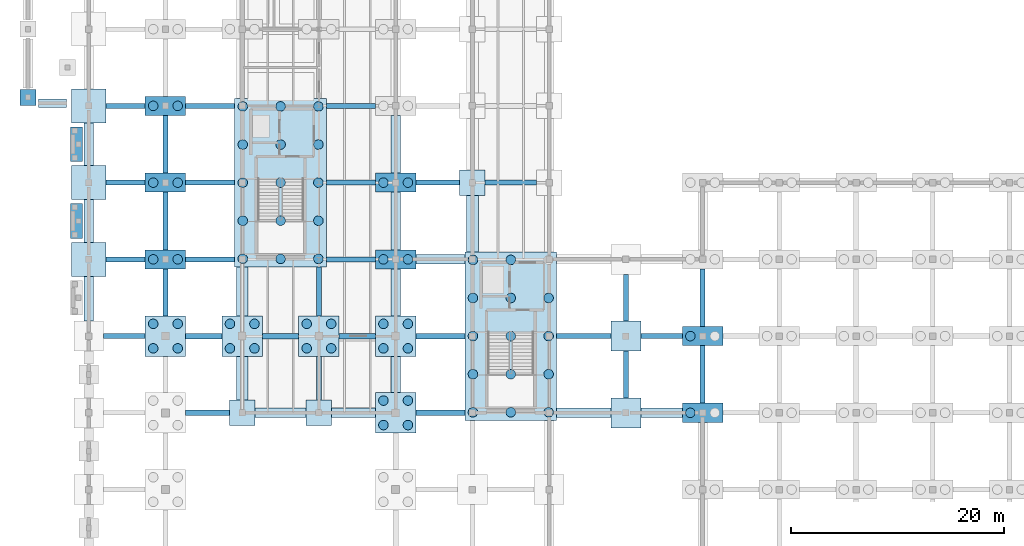
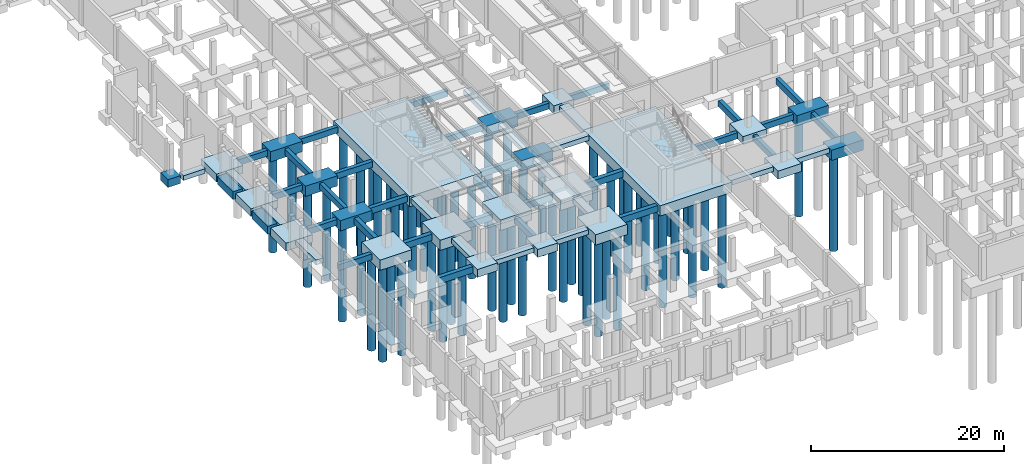
# One storey, part 2 of 46: 70 footings, 61 piles.
"""IFC4 building model written with IfcOpenShell, lengths in metres."""

from ifc_helpers import new_model, si_unit, direction, frame, origin, origin_2d, place, context, subcontext, project, spatial, rectangle, circle, extrude, material, material_profile, profile_set, type_object, element, save


model = new_model("IFC4")

# Units and contexts
model_context = context("Model", 3, precision=1e-05, world=origin(), true_north=direction((0.0, 1.0)))
body_context = subcontext(model_context, "Body", "Model", "MODEL_VIEW")
ifc_project = project(units=[si_unit("LENGTHUNIT", "METRE"), si_unit("AREAUNIT", "SQUARE_METRE"), si_unit("VOLUMEUNIT", "CUBIC_METRE"), si_unit("PLANEANGLEUNIT", "RADIAN"), si_unit("MASSUNIT", "GRAM", prefix="KILO")], contexts=[model_context])

# Site, building, storey
site_placement = place(None, origin())
site = spatial("IfcSite", under=ifc_project, at=site_placement, CompositionType="ELEMENT")
building_placement = place(site_placement, origin())
building = spatial("IfcBuilding", under=site, at=building_placement, Name="Sillqori Civic Hall", CompositionType="ELEMENT")
storey_placement = place(building_placement, frame((0.0, 0.0, -4.199951171875)))
storey = spatial("IfcBuildingStorey", under=building, at=storey_placement, Name="B01", CompositionType="ELEMENT", Elevation=-4.199951171875)

# Footings
ifc_material = material(Name="Concrete C35/45 (H35)", Category="concrete")
footing_type_1 = type_object("IfcFootingType", Name="FB-450X750", PredefinedType="FOOTING_BEAM", material=ifc_material)
footing_1_placement = place(storey_placement, frame((10.550048828125, 43.199951171875, -0.969970703125), z_axis=(0.0, 0.0, 1.0), x_axis=(1.0, 0.0, 0.0)))
element("IfcFooting", 1, at=footing_1_placement, inside=storey, type_object=footing_type_1, Name="Seismic tie beam X 1-6", PredefinedType="FOOTING_BEAM", context=body_context, shape_type="SweptSolid", body=[
    extrude(rectangle(XDim=3.89990234375, YDim=0.449951171875, at=origin_2d()), origin(), (0.0, 0.0, 1.0), 0.75),
])
for number, where, z_axis, x_axis, name in (
    (2, (10.64990234375, 50.39990234375, -0.969970703125), (0.0, 0.0, 1.0), (1.0, 0.0, 0.0), "Seismic tie beam X 1-7"),
    (3, (10.64990234375, 57.60009765625, -0.969970703125), (0.0, 0.0, 1.0), (1.0, 0.0, 0.0), "Seismic tie beam X 1-8"),
    (4, (10.64990234375, 64.800048828125, -0.969970703125), (0.0, 0.0, 1.0), (1.0, 0.0, 0.0), "Seismic tie beam X 1-9"),
):
    element("IfcFooting", number, at=place(storey_placement, frame(where, z_axis=z_axis, x_axis=x_axis)), inside=storey, type_object=footing_type_1, Name=name, PredefinedType="FOOTING_BEAM", context=body_context, shape_type="SweptSolid", body=[
        extrude(rectangle(XDim=3.699951171875, YDim=0.449951171875, at=origin_2d()), origin(), (0.0, 0.0, 1.0), 0.75),
    ])
footing_2_placement = place(storey_placement, frame((18.60009765625, 50.39990234375, -0.969970703125), z_axis=(0.0, 0.0, 1.0), x_axis=(1.0, 0.0, 0.0)))
element("IfcFooting", 5, at=footing_2_placement, inside=storey, type_object=footing_type_1, Name="Seismic tie beam X 2-7", PredefinedType="FOOTING_BEAM", context=body_context, shape_type="SweptSolid", body=[
    extrude(rectangle(XDim=4.60009765625, YDim=0.449951171875, at=origin_2d()), origin(), (0.0, 0.0, 1.0), 0.75),
])
footing_3_placement = place(storey_placement, frame((14.39990234375, 54.0, -0.969970703125), z_axis=(0.0, 0.0, 1.0), x_axis=(1.0, 0.0, 0.0)))
element("IfcFooting", 6, at=footing_3_placement, inside=storey, type_object=footing_type_1, Name="Seismic tie beam Y 2-7", PredefinedType="FOOTING_BEAM", context=body_context, shape_type="SweptSolid", body=[
    extrude(rectangle(XDim=0.449951171875, YDim=5.39990234375, at=origin_2d()), origin(), (0.0, 0.0, 1.0), 0.75),
])
footing_4_placement = place(storey_placement, frame((18.60009765625, 57.60009765625, -0.969970703125), z_axis=(0.0, 0.0, 1.0), x_axis=(1.0, 0.0, 0.0)))
element("IfcFooting", 7, at=footing_4_placement, inside=storey, type_object=footing_type_1, Name="Seismic tie beam X 2-8", PredefinedType="FOOTING_BEAM", context=body_context, shape_type="SweptSolid", body=[
    extrude(rectangle(XDim=4.60009765625, YDim=0.449951171875, at=origin_2d()), origin(), (0.0, 0.0, 1.0), 0.75),
])
footing_5_placement = place(storey_placement, frame((14.39990234375, 61.199951171875, -0.969970703125), z_axis=(0.0, 0.0, 1.0), x_axis=(1.0, 0.0, 0.0)))
element("IfcFooting", 8, at=footing_5_placement, inside=storey, type_object=footing_type_1, Name="Seismic tie beam Y 2-8", PredefinedType="FOOTING_BEAM", context=body_context, shape_type="SweptSolid", body=[
    extrude(rectangle(XDim=0.449951171875, YDim=5.39990234375, at=origin_2d()), origin(), (0.0, 0.0, 1.0), 0.75),
])
footing_6_placement = place(storey_placement, frame((18.60009765625, 64.800048828125, -0.969970703125), z_axis=(0.0, 0.0, 1.0), x_axis=(1.0, 0.0, 0.0)))
element("IfcFooting", 9, at=footing_6_placement, inside=storey, type_object=footing_type_1, Name="Seismic tie beam X 2-9", PredefinedType="FOOTING_BEAM", context=body_context, shape_type="SweptSolid", body=[
    extrude(rectangle(XDim=4.60009765625, YDim=0.449951171875, at=origin_2d()), origin(), (0.0, 0.0, 1.0), 0.75),
])
footing_7_placement = place(storey_placement, frame((28.800048828125, 39.25, -0.969970703125), z_axis=(0.0, 0.0, 1.0), x_axis=(1.0, 0.0, 0.0)))
element("IfcFooting", 10, at=footing_7_placement, inside=storey, type_object=footing_type_1, Name="Seismic tie beam Y 4-5", PredefinedType="FOOTING_BEAM", context=body_context, shape_type="SweptSolid", body=[
    extrude(rectangle(XDim=0.449951171875, YDim=4.10009765625, at=origin_2d()), origin(), (0.0, 0.0, 1.0), 0.75),
])
for number, where, z_axis, x_axis, name in (
    (11, (31.800048828125, 50.39990234375, -0.969970703125), (0.0, 0.0, 1.0), (1.0, 0.0, 0.0), "Seismic tie beam X 4-7"),
    (12, (31.800048828125, 57.60009765625, -0.969970703125), (0.0, 0.0, 1.0), (1.0, 0.0, 0.0), "Seismic tie beam X 4-8"),
    (13, (31.800048828125, 64.800048828125, -0.969970703125), (0.0, 0.0, 1.0), (1.0, 0.0, 0.0), "Seismic tie beam X 4-9"),
):
    element("IfcFooting", number, at=place(storey_placement, frame(where, z_axis=z_axis, x_axis=x_axis)), inside=storey, type_object=footing_type_1, Name=name, PredefinedType="FOOTING_BEAM", context=body_context, shape_type="SweptSolid", body=[
        extrude(rectangle(XDim=4.60009765625, YDim=0.449951171875, at=origin_2d()), origin(), (0.0, 0.0, 1.0), 0.75),
    ])
footing_8_placement = place(storey_placement, frame((39.949951171875, 57.60009765625, -0.969970703125), z_axis=(0.0, 0.0, 1.0), x_axis=(1.0, 0.0, 0.0)))
element("IfcFooting", 14, at=footing_8_placement, inside=storey, type_object=footing_type_1, Name="Seismic tie beam X 5-8", PredefinedType="FOOTING_BEAM", context=body_context, shape_type="SweptSolid", body=[
    extrude(rectangle(XDim=4.10009765625, YDim=0.449951171875, at=origin_2d()), origin(), (0.0, 0.0, 1.0), 0.75),
])
footing_9_placement = place(storey_placement, frame((46.800048828125, 57.60009765625, -0.969970703125), z_axis=(0.0, 0.0, 1.0), x_axis=(1.0, 0.0, 0.0)))
element("IfcFooting", 15, at=footing_9_placement, inside=storey, type_object=footing_type_1, Name="Seismic tie beam X 6-8", PredefinedType="FOOTING_BEAM", context=body_context, shape_type="SweptSolid", body=[
    extrude(rectangle(XDim=4.800048828125, YDim=0.449951171875, at=origin_2d()), origin(), (0.0, 0.0, 1.0), 0.75),
])
footing_10_placement = place(storey_placement, frame((53.64990234375, 43.199951171875, -0.969970703125), z_axis=(0.0, 0.0, 1.0), x_axis=(1.0, 0.0, 0.0)))
element("IfcFooting", 16, at=footing_10_placement, inside=storey, type_object=footing_type_1, Name="Seismic tie beam X 7-6", PredefinedType="FOOTING_BEAM", context=body_context, shape_type="SweptSolid", body=[
    extrude(rectangle(XDim=5.10009765625, YDim=0.449951171875, at=origin_2d()), origin(), (0.0, 0.0, 1.0), 0.75),
])
footing_11_placement = place(storey_placement, frame((57.60009765625, 39.60009765625, -0.969970703125), z_axis=(0.0, 0.0, 1.0), x_axis=(1.0, 0.0, 0.0)))
element("IfcFooting", 17, at=footing_11_placement, inside=storey, type_object=footing_type_1, Name="Seismic tie beam Y 8-5", PredefinedType="FOOTING_BEAM", context=body_context, shape_type="SweptSolid", body=[
    extrude(rectangle(XDim=0.449951171875, YDim=4.39990234375, at=origin_2d()), origin(), (0.0, 0.0, 1.0), 0.75),
])
footing_12_placement = place(storey_placement, frame((60.949951171875, 43.199951171875, -0.969970703125), z_axis=(0.0, 0.0, 1.0), x_axis=(1.0, 0.0, 0.0)))
element("IfcFooting", 18, at=footing_12_placement, inside=storey, type_object=footing_type_1, Name="Seismic tie beam X 8-6", PredefinedType="FOOTING_BEAM", context=body_context, shape_type="SweptSolid", body=[
    extrude(rectangle(XDim=3.89990234375, YDim=0.449951171875, at=origin_2d()), origin(), (0.0, 0.0, 1.0), 0.75),
])
footing_13_placement = place(storey_placement, frame((57.60009765625, 46.800048828125, -0.969970703125), z_axis=(0.0, 0.0, 1.0), x_axis=(1.0, 0.0, 0.0)))
element("IfcFooting", 19, at=footing_13_placement, inside=storey, type_object=footing_type_1, Name="Seismic tie beam Y 8-6", PredefinedType="FOOTING_BEAM", context=body_context, shape_type="SweptSolid", body=[
    extrude(rectangle(XDim=0.449951171875, YDim=4.39990234375, at=origin_2d()), origin(), (0.0, 0.0, 1.0), 0.75),
])
for number, where, z_axis, x_axis, name in (
    (20, (64.800048828125, 39.60009765625, -0.969970703125), (0.0, 0.0, 1.0), (1.0, 0.0, 0.0), "Seismic tie beam Y 9-5"),
    (21, (64.800048828125, 46.800048828125, -0.969970703125), (0.0, 0.0, 1.0), (1.0, 0.0, 0.0), "Seismic tie beam Y 9-6"),
):
    element("IfcFooting", number, at=place(storey_placement, frame(where, z_axis=z_axis, x_axis=x_axis)), inside=storey, type_object=footing_type_1, Name=name, PredefinedType="FOOTING_BEAM", context=body_context, shape_type="SweptSolid", body=[
        extrude(rectangle(XDim=0.449951171875, YDim=5.39990234375, at=origin_2d()), origin(), (0.0, 0.0, 1.0), 0.75),
    ])
footing_type_2 = type_object("IfcFootingType", Name="FB-500X800", PredefinedType="FOOTING_BEAM", material=ifc_material)
footing_14_placement = place(storey_placement, frame((18.35009765625, 36.0, -1.02001953125), z_axis=(0.0, 0.0, 1.0), x_axis=(1.0, 0.0, 0.0)))
element("IfcFooting", 22, at=footing_14_placement, inside=storey, type_object=footing_type_2, Name="Seismic tie beam X 2-5", PredefinedType="FOOTING_BEAM", context=body_context, shape_type="SweptSolid", body=[
    extrude(rectangle(XDim=4.10009765625, YDim=0.5, at=origin_2d()), origin(), (0.0, 0.0, 1.0), 0.800048828125),
])
footing_15_placement = place(storey_placement, frame((18.0, 43.199951171875, -1.02001953125), z_axis=(0.0, 0.0, 1.0), x_axis=(1.0, 0.0, 0.0)))
element("IfcFooting", 23, at=footing_15_placement, inside=storey, type_object=footing_type_2, Name="Seismic tie beam X 2-6", PredefinedType="FOOTING_BEAM", context=body_context, shape_type="SweptSolid", body=[
    extrude(rectangle(XDim=3.39990234375, YDim=0.5, at=origin_2d()), origin(), (0.0, 0.0, 1.0), 0.800048828125),
])
footing_16_placement = place(storey_placement, frame((14.39990234375, 47.300048828125, -1.02001953125), z_axis=(0.0, 0.0, 1.0), x_axis=(1.0, 0.0, 0.0)))
element("IfcFooting", 24, at=footing_16_placement, inside=storey, type_object=footing_type_2, Name="Seismic tie beam Y 2-6", PredefinedType="FOOTING_BEAM", context=body_context, shape_type="SweptSolid", body=[
    extrude(rectangle(XDim=0.5, YDim=4.39990234375, at=origin_2d()), origin(), (0.0, 0.0, 1.0), 0.800048828125),
])
for number, where, z_axis, x_axis, name in (
    (25, (25.199951171875, 43.199951171875, -1.02001953125), (0.0, 0.0, 1.0), (1.0, 0.0, 0.0), "Seismic tie beam X 3-6"),
    (26, (32.39990234375, 43.199951171875, -1.02001953125), (0.0, 0.0, 1.0), (1.0, 0.0, 0.0), "Seismic tie beam X 4-6"),
):
    element("IfcFooting", number, at=place(storey_placement, frame(where, z_axis=z_axis, x_axis=x_axis)), inside=storey, type_object=footing_type_2, Name=name, PredefinedType="FOOTING_BEAM", context=body_context, shape_type="SweptSolid", body=[
        extrude(rectangle(XDim=3.39990234375, YDim=0.5, at=origin_2d()), origin(), (0.0, 0.0, 1.0), 0.800048828125),
    ])
footing_17_placement = place(storey_placement, frame((28.800048828125, 47.39990234375, -1.02001953125), z_axis=(0.0, 0.0, 1.0), x_axis=(1.0, 0.0, 0.0)))
element("IfcFooting", 27, at=footing_17_placement, inside=storey, type_object=footing_type_2, Name="Seismic tie beam Y 4-6", PredefinedType="FOOTING_BEAM", context=body_context, shape_type="SweptSolid", body=[
    extrude(rectangle(XDim=0.5, YDim=4.60009765625, at=origin_2d()), origin(), (0.0, 0.0, 1.0), 0.800048828125),
])
for number, where, z_axis, x_axis, name in (
    (28, (40.199951171875, 36.0, -1.02001953125), (0.0, 0.0, 1.0), (1.0, 0.0, 0.0), "Seismic tie beam X 5-5"),
    (29, (40.199951171875, 43.199951171875, -1.02001953125), (0.0, 0.0, 1.0), (1.0, 0.0, 0.0), "Seismic tie beam X 5-6"),
):
    element("IfcFooting", number, at=place(storey_placement, frame(where, z_axis=z_axis, x_axis=x_axis)), inside=storey, type_object=footing_type_2, Name=name, PredefinedType="FOOTING_BEAM", context=body_context, shape_type="SweptSolid", body=[
        extrude(rectangle(XDim=4.60009765625, YDim=0.5, at=origin_2d()), origin(), (0.0, 0.0, 1.0), 0.800048828125),
    ])
footing_type_3 = type_object("IfcFootingType", Name="PC-2P", PredefinedType="PILE_CAP", material=ifc_material)
for number, where, z_axis, x_axis, name in (
    (30, (14.39990234375, 50.39990234375, -1.30029296875), (0.0, 0.0, 1.0), (1.0, 0.0, 0.0), "Pile cap 2-7"),
    (31, (14.39990234375, 57.60009765625, -1.30029296875), (0.0, 0.0, 1.0), (1.0, 0.0, 0.0), "Pile cap 2-8"),
    (32, (14.39990234375, 64.800048828125, -1.30029296875), (0.0, 0.0, 1.0), (1.0, 0.0, 0.0), "Pile cap 2-9"),
    (33, (36.0, 50.39990234375, -1.30029296875), (0.0, 0.0, 1.0), (1.0, 0.0, 0.0), "Pile cap 5-7"),
    (34, (36.0, 57.60009765625, -1.30029296875), (0.0, 0.0, 1.0), (1.0, 0.0, 0.0), "Pile cap 5-8"),
    (35, (64.800048828125, 36.0, -1.30029296875), (0.0, 0.0, 1.0), (1.0, 0.0, 0.0), "Pile cap 9-5"),
    (36, (64.800048828125, 43.199951171875, -1.30029296875), (0.0, 0.0, 1.0), (1.0, 0.0, 0.0), "Pile cap 9-6"),
):
    element("IfcFooting", number, at=place(storey_placement, frame(where, z_axis=z_axis, x_axis=x_axis)), inside=storey, type_object=footing_type_3, Name=name, PredefinedType="PILE_CAP", context=body_context, shape_type="SweptSolid", body=[
        extrude(rectangle(XDim=3.800048828125, YDim=1.800048828125, at=origin_2d()), origin(), (0.0, 0.0, 1.0), 1.300048828125),
    ])
footing_type_4 = type_object("IfcFootingType", Name="PC-4P", PredefinedType="PILE_CAP", material=ifc_material)
for number, where, z_axis, x_axis, name in (
    (37, (14.39990234375, 43.199951171875, -1.30029296875), (0.0, 0.0, 1.0), (1.0, 0.0, 0.0), "Pile cap 2-6"),
    (38, (21.60009765625, 43.199951171875, -1.30029296875), (0.0, 0.0, 1.0), (1.0, 0.0, 0.0), "Pile cap 3-6"),
    (39, (28.800048828125, 43.199951171875, -1.30029296875), (0.0, 0.0, 1.0), (1.0, 0.0, 0.0), "Pile cap 4-6"),
    (40, (36.0, 36.0, -1.30029296875), (0.0, 0.0, 1.0), (1.0, 0.0, 0.0), "Pile cap 5-5"),
    (41, (36.0, 43.199951171875, -1.30029296875), (0.0, 0.0, 1.0), (1.0, 0.0, 0.0), "Pile cap 5-6"),
):
    element("IfcFooting", number, at=place(storey_placement, frame(where, z_axis=z_axis, x_axis=x_axis)), inside=storey, type_object=footing_type_4, Name=name, PredefinedType="PILE_CAP", context=body_context, shape_type="SweptSolid", body=[
        extrude(rectangle(XDim=3.800048828125, YDim=3.800048828125, at=origin_2d()), origin(), (0.0, 0.0, 1.0), 1.300048828125),
    ])
footing_type_5 = type_object("IfcFootingType", Name="PC-CORE", PredefinedType="PILE_CAP", material=ifc_material)
for number, where, z_axis, x_axis, name in (
    (42, (46.800048828125, 43.199951171875, -1.30029296875), (0.0, 0.0, 1.0), (1.0, 0.0, 0.0), "Core mat pile cap C1"),
    (43, (25.199951171875, 57.60009765625, -1.30029296875), (0.0, 0.0, 1.0), (1.0, 0.0, 0.0), "Core mat pile cap C4"),
):
    element("IfcFooting", number, at=place(storey_placement, frame(where, z_axis=z_axis, x_axis=x_axis)), inside=storey, type_object=footing_type_5, Name=name, PredefinedType="PILE_CAP", context=body_context, shape_type="SweptSolid", body=[
        extrude(rectangle(XDim=8.60009765625, YDim=15.800048828125, at=origin_2d()), origin(), (0.0, 0.0, 1.0), 1.300048828125),
    ])
footing_type_6 = type_object("IfcFootingType", Name="PF-1500", PredefinedType="PAD_FOOTING", material=ifc_material)
footing_18_placement = place(storey_placement, frame((1.5, 65.60009765625, -1.0), z_axis=(0.0, 0.0, 1.0), x_axis=(1.0, 0.0, 0.0)))
element("IfcFooting", 44, at=footing_18_placement, inside=storey, type_object=footing_type_6, Name="Truck loading dock grade apron footing 1", PredefinedType="PAD_FOOTING", context=body_context, shape_type="SweptSolid", body=[
    extrude(rectangle(XDim=1.5, YDim=1.5, at=origin_2d()), origin(), (0.0, 0.0, 1.0), 1.0),
])
footing_type_7 = type_object("IfcFootingType", Name="PF-2400", PredefinedType="PAD_FOOTING", material=ifc_material)
for number, where, z_axis, x_axis, name in (
    (45, (21.60009765625, 36.0, -1.0), (0.0, 0.0, 1.0), (1.0, 0.0, 0.0), "Spread footing 3-5"),
    (46, (28.800048828125, 36.0, -1.0), (0.0, 0.0, 1.0), (1.0, 0.0, 0.0), "Spread footing 4-5"),
    (47, (43.199951171875, 57.60009765625, -1.0), (0.0, 0.0, 1.0), (1.0, 0.0, 0.0), "Spread footing 6-8"),
):
    element("IfcFooting", number, at=place(storey_placement, frame(where, z_axis=z_axis, x_axis=x_axis)), inside=storey, type_object=footing_type_7, Name=name, PredefinedType="PAD_FOOTING", context=body_context, shape_type="SweptSolid", body=[
        extrude(rectangle(XDim=2.39990234375, YDim=2.39990234375, at=origin_2d()), origin(), (0.0, 0.0, 1.0), 1.0),
    ])
footing_type_8 = type_object("IfcFootingType", Name="PF-2800", PredefinedType="PAD_FOOTING", material=ifc_material)
for number, where, z_axis, x_axis, name in (
    (48, (57.60009765625, 36.0, -1.0), (0.0, 0.0, 1.0), (1.0, 0.0, 0.0), "Spread footing 8-5"),
    (49, (57.60009765625, 43.199951171875, -1.0), (0.0, 0.0, 1.0), (1.0, 0.0, 0.0), "Spread footing 8-6"),
):
    element("IfcFooting", number, at=place(storey_placement, frame(where, z_axis=z_axis, x_axis=x_axis)), inside=storey, type_object=footing_type_8, Name=name, PredefinedType="PAD_FOOTING", context=body_context, shape_type="SweptSolid", body=[
        extrude(rectangle(XDim=2.800048828125, YDim=2.800048828125, at=origin_2d()), origin(), (0.0, 0.0, 1.0), 1.0),
    ])
footing_type_9 = type_object("IfcFootingType", Name="PF-3200", PredefinedType="PAD_FOOTING", material=ifc_material)
for number, where, z_axis, x_axis, name in (
    (50, (7.199951171875, 50.39990234375, -1.0), (0.0, 0.0, 1.0), (1.0, 0.0, 0.0), "Spread footing 1-7"),
    (51, (7.199951171875, 57.60009765625, -1.0), (0.0, 0.0, 1.0), (1.0, 0.0, 0.0), "Spread footing 1-8"),
    (52, (7.199951171875, 64.800048828125, -1.0), (0.0, 0.0, 1.0), (1.0, 0.0, 0.0), "Spread footing 1-9"),
):
    element("IfcFooting", number, at=place(storey_placement, frame(where, z_axis=z_axis, x_axis=x_axis)), inside=storey, type_object=footing_type_9, Name=name, PredefinedType="PAD_FOOTING", context=body_context, shape_type="SweptSolid", body=[
        extrude(rectangle(XDim=3.199951171875, YDim=3.199951171875, at=origin_2d()), origin(), (0.0, 0.0, 1.0), 1.0),
    ])

# Piles
ifc_material_profile = material_profile(ifc_material, circle(Radius=0.449951171875, at=origin_2d()), Name="BORED PILE 900")
ifc_profile_set = profile_set([ifc_material_profile], Name="Concrete C35/45 (H35)")
pile_type = type_object("IfcPileType", Name="PILE-BORED-900", PredefinedType="BORED", material=ifc_profile_set)
for number, where, z_axis, x_axis, name in (
    (53, (43.25, 36.050048828125, -1.199951171875), (0.0, 0.0, -1.0), (1.0, 0.0, 0.0), "Bored pile FTG-CAP-C1-01"),
    (54, (43.25, 39.625, -1.199951171875), (0.0, 0.0, -1.0), (1.0, 0.0, 0.0), "Bored pile FTG-CAP-C1-02"),
    (55, (43.25, 43.199951171875, -1.199951171875), (0.0, 0.0, -1.0), (1.0, 0.0, 0.0), "Bored pile FTG-CAP-C1-03"),
    (56, (43.25, 46.77490234375, -1.199951171875), (0.0, 0.0, -1.0), (1.0, 0.0, 0.0), "Bored pile FTG-CAP-C1-04"),
    (57, (43.25, 50.35009765625, -1.199951171875), (0.0, 0.0, -1.0), (1.0, 0.0, 0.0), "Bored pile FTG-CAP-C1-05"),
    (58, (46.800048828125, 36.050048828125, -1.199951171875), (0.0, 0.0, -1.0), (1.0, 0.0, 0.0), "Bored pile FTG-CAP-C1-06"),
    (59, (46.800048828125, 39.625, -1.199951171875), (0.0, 0.0, -1.0), (1.0, 0.0, 0.0), "Bored pile FTG-CAP-C1-07"),
    (60, (46.800048828125, 43.199951171875, -1.199951171875), (0.0, 0.0, -1.0), (1.0, 0.0, 0.0), "Bored pile FTG-CAP-C1-08"),
    (61, (46.800048828125, 46.77490234375, -1.199951171875), (0.0, 0.0, -1.0), (1.0, 0.0, 0.0), "Bored pile FTG-CAP-C1-09"),
    (62, (46.800048828125, 50.35009765625, -1.199951171875), (0.0, 0.0, -1.0), (1.0, 0.0, 0.0), "Bored pile FTG-CAP-C1-10"),
    (63, (50.35009765625, 36.050048828125, -1.199951171875), (0.0, 0.0, -1.0), (1.0, 0.0, 0.0), "Bored pile FTG-CAP-C1-11"),
    (64, (50.35009765625, 39.625, -1.199951171875), (0.0, 0.0, -1.0), (1.0, 0.0, 0.0), "Bored pile FTG-CAP-C1-12"),
    (65, (50.35009765625, 43.199951171875, -1.199951171875), (0.0, 0.0, -1.0), (1.0, 0.0, 0.0), "Bored pile FTG-CAP-C1-13"),
    (66, (50.35009765625, 46.77490234375, -1.199951171875), (0.0, 0.0, -1.0), (1.0, 0.0, 0.0), "Bored pile FTG-CAP-C1-14"),
    (67, (21.64990234375, 50.449951171875, -1.199951171875), (0.0, 0.0, -1.0), (1.0, 0.0, 0.0), "Bored pile FTG-CAP-C4-01"),
    (68, (21.64990234375, 54.02490234375, -1.199951171875), (0.0, 0.0, -1.0), (1.0, 0.0, 0.0), "Bored pile FTG-CAP-C4-02"),
    (69, (21.64990234375, 57.60009765625, -1.199951171875), (0.0, 0.0, -1.0), (1.0, 0.0, 0.0), "Bored pile FTG-CAP-C4-03"),
    (70, (21.64990234375, 61.175048828125, -1.199951171875), (0.0, 0.0, -1.0), (1.0, 0.0, 0.0), "Bored pile FTG-CAP-C4-04"),
    (71, (21.64990234375, 64.75, -1.199951171875), (0.0, 0.0, -1.0), (1.0, 0.0, 0.0), "Bored pile FTG-CAP-C4-05"),
    (72, (25.199951171875, 50.449951171875, -1.199951171875), (0.0, 0.0, -1.0), (1.0, 0.0, 0.0), "Bored pile FTG-CAP-C4-06"),
    (73, (25.199951171875, 54.02490234375, -1.199951171875), (0.0, 0.0, -1.0), (1.0, 0.0, 0.0), "Bored pile FTG-CAP-C4-07"),
    (74, (25.199951171875, 57.60009765625, -1.199951171875), (0.0, 0.0, -1.0), (1.0, 0.0, 0.0), "Bored pile FTG-CAP-C4-08"),
    (75, (25.199951171875, 61.175048828125, -1.199951171875), (0.0, 0.0, -1.0), (1.0, 0.0, 0.0), "Bored pile FTG-CAP-C4-09"),
    (76, (25.199951171875, 64.75, -1.199951171875), (0.0, 0.0, -1.0), (1.0, 0.0, 0.0), "Bored pile FTG-CAP-C4-10"),
    (77, (28.75, 50.449951171875, -1.199951171875), (0.0, 0.0, -1.0), (1.0, 0.0, 0.0), "Bored pile FTG-CAP-C4-11"),
    (78, (28.75, 54.02490234375, -1.199951171875), (0.0, 0.0, -1.0), (1.0, 0.0, 0.0), "Bored pile FTG-CAP-C4-12"),
    (79, (28.75, 57.60009765625, -1.199951171875), (0.0, 0.0, -1.0), (1.0, 0.0, 0.0), "Bored pile FTG-CAP-C4-13"),
    (80, (28.75, 61.175048828125, -1.199951171875), (0.0, 0.0, -1.0), (1.0, 0.0, 0.0), "Bored pile FTG-CAP-C4-14"),
    (81, (28.75, 64.75, -1.199951171875), (0.0, 0.0, -1.0), (1.0, 0.0, 0.0), "Bored pile FTG-CAP-C4-15"),
    (82, (13.25, 42.050048828125, -1.199951171875), (0.0, 0.0, -1.0), (1.0, 0.0, 0.0), "Bored pile FTG-PC-02-06-01"),
    (83, (13.25, 44.35009765625, -1.199951171875), (0.0, 0.0, -1.0), (1.0, 0.0, 0.0), "Bored pile FTG-PC-02-06-02"),
    (84, (15.550048828125, 42.050048828125, -1.199951171875), (0.0, 0.0, -1.0), (1.0, 0.0, 0.0), "Bored pile FTG-PC-02-06-03"),
    (85, (15.550048828125, 44.35009765625, -1.199951171875), (0.0, 0.0, -1.0), (1.0, 0.0, 0.0), "Bored pile FTG-PC-02-06-04"),
    (86, (13.25, 50.39990234375, -1.199951171875), (0.0, 0.0, -1.0), (1.0, 0.0, 0.0), "Bored pile FTG-PC-02-07-01"),
    (87, (15.550048828125, 50.39990234375, -1.199951171875), (0.0, 0.0, -1.0), (1.0, 0.0, 0.0), "Bored pile FTG-PC-02-07-02"),
    (88, (13.25, 57.60009765625, -1.199951171875), (0.0, 0.0, -1.0), (1.0, 0.0, 0.0), "Bored pile FTG-PC-02-08-01"),
    (89, (15.550048828125, 57.60009765625, -1.199951171875), (0.0, 0.0, -1.0), (1.0, 0.0, 0.0), "Bored pile FTG-PC-02-08-02"),
    (90, (13.25, 64.800048828125, -1.199951171875), (0.0, 0.0, -1.0), (1.0, 0.0, 0.0), "Bored pile FTG-PC-02-09-01"),
    (91, (15.550048828125, 64.800048828125, -1.199951171875), (0.0, 0.0, -1.0), (1.0, 0.0, 0.0), "Bored pile FTG-PC-02-09-02"),
    (92, (20.449951171875, 42.050048828125, -1.199951171875), (0.0, 0.0, -1.0), (1.0, 0.0, 0.0), "Bored pile FTG-PC-03-06-01"),
    (93, (20.449951171875, 44.35009765625, -1.199951171875), (0.0, 0.0, -1.0), (1.0, 0.0, 0.0), "Bored pile FTG-PC-03-06-02"),
    (94, (22.75, 42.050048828125, -1.199951171875), (0.0, 0.0, -1.0), (1.0, 0.0, 0.0), "Bored pile FTG-PC-03-06-03"),
    (95, (22.75, 44.35009765625, -1.199951171875), (0.0, 0.0, -1.0), (1.0, 0.0, 0.0), "Bored pile FTG-PC-03-06-04"),
    (96, (27.64990234375, 42.050048828125, -1.199951171875), (0.0, 0.0, -1.0), (1.0, 0.0, 0.0), "Bored pile FTG-PC-04-06-01"),
    (97, (27.64990234375, 44.35009765625, -1.199951171875), (0.0, 0.0, -1.0), (1.0, 0.0, 0.0), "Bored pile FTG-PC-04-06-02"),
    (98, (29.949951171875, 42.050048828125, -1.199951171875), (0.0, 0.0, -1.0), (1.0, 0.0, 0.0), "Bored pile FTG-PC-04-06-03"),
    (99, (29.949951171875, 44.35009765625, -1.199951171875), (0.0, 0.0, -1.0), (1.0, 0.0, 0.0), "Bored pile FTG-PC-04-06-04"),
    (100, (34.85009765625, 34.85009765625, -1.199951171875), (0.0, 0.0, -1.0), (1.0, 0.0, 0.0), "Bored pile FTG-PC-05-05-01"),
    (101, (34.85009765625, 37.14990234375, -1.199951171875), (0.0, 0.0, -1.0), (1.0, 0.0, 0.0), "Bored pile FTG-PC-05-05-02"),
    (102, (37.14990234375, 34.85009765625, -1.199951171875), (0.0, 0.0, -1.0), (1.0, 0.0, 0.0), "Bored pile FTG-PC-05-05-03"),
    (103, (37.14990234375, 37.14990234375, -1.199951171875), (0.0, 0.0, -1.0), (1.0, 0.0, 0.0), "Bored pile FTG-PC-05-05-04"),
    (104, (34.85009765625, 42.050048828125, -1.199951171875), (0.0, 0.0, -1.0), (1.0, 0.0, 0.0), "Bored pile FTG-PC-05-06-01"),
    (105, (34.85009765625, 44.35009765625, -1.199951171875), (0.0, 0.0, -1.0), (1.0, 0.0, 0.0), "Bored pile FTG-PC-05-06-02"),
    (106, (37.14990234375, 42.050048828125, -1.199951171875), (0.0, 0.0, -1.0), (1.0, 0.0, 0.0), "Bored pile FTG-PC-05-06-03"),
    (107, (37.14990234375, 44.35009765625, -1.199951171875), (0.0, 0.0, -1.0), (1.0, 0.0, 0.0), "Bored pile FTG-PC-05-06-04"),
    (108, (34.85009765625, 50.39990234375, -1.199951171875), (0.0, 0.0, -1.0), (1.0, 0.0, 0.0), "Bored pile FTG-PC-05-07-01"),
    (109, (37.14990234375, 50.39990234375, -1.199951171875), (0.0, 0.0, -1.0), (1.0, 0.0, 0.0), "Bored pile FTG-PC-05-07-02"),
    (110, (34.85009765625, 57.60009765625, -1.199951171875), (0.0, 0.0, -1.0), (1.0, 0.0, 0.0), "Bored pile FTG-PC-05-08-01"),
    (111, (37.14990234375, 57.60009765625, -1.199951171875), (0.0, 0.0, -1.0), (1.0, 0.0, 0.0), "Bored pile FTG-PC-05-08-02"),
    (112, (63.64990234375, 36.0, -1.199951171875), (0.0, 0.0, -1.0), (1.0, 0.0, 0.0), "Bored pile FTG-PC-09-05-01"),
    (113, (63.64990234375, 43.199951171875, -1.199951171875), (0.0, 0.0, -1.0), (1.0, 0.0, 0.0), "Bored pile FTG-PC-09-06-01"),
):
    element("IfcPile", number, at=place(storey_placement, frame(where, z_axis=z_axis, x_axis=x_axis)), inside=storey, type_object=pile_type, Name=name, PredefinedType="BORED", context=body_context, shape_type="SweptSolid", body=[
        extrude(circle(Radius=0.449951171875, at=origin_2d()), origin(), (0.0, 0.0, 1.0), 12.10009765625),
    ])

# Footings
footing_type_10 = type_object("IfcFootingType", Name="SF-1100X650", PredefinedType="STRIP_FOOTING", material=ifc_material)
footing_19_placement = place(storey_placement, frame((21.60009765625, 39.25, -0.8701171875), z_axis=(0.0, 0.0, 1.0), x_axis=(1.0, 0.0, 0.0)))
element("IfcFooting", 114, at=footing_19_placement, inside=storey, type_object=footing_type_10, Name="Perimeter strip footing W 3-5", PredefinedType="STRIP_FOOTING", context=body_context, shape_type="SweptSolid", body=[
    extrude(rectangle(XDim=1.10009765625, YDim=4.10009765625, at=origin_2d()), origin(), (0.0, 0.0, 1.0), 0.64990234375),
])
footing_20_placement = place(storey_placement, frame((21.60009765625, 47.39990234375, -0.8701171875), z_axis=(0.0, 0.0, 1.0), x_axis=(1.0, 0.0, 0.0)))
element("IfcFooting", 115, at=footing_20_placement, inside=storey, type_object=footing_type_10, Name="Perimeter strip footing W 3-6", PredefinedType="STRIP_FOOTING", context=body_context, shape_type="SweptSolid", body=[
    extrude(rectangle(XDim=1.10009765625, YDim=4.60009765625, at=origin_2d()), origin(), (0.0, 0.0, 1.0), 0.64990234375),
])
footing_21_placement = place(storey_placement, frame((43.199951171875, 53.75, -0.8701171875), z_axis=(0.0, 0.0, 1.0), x_axis=(1.0, 0.0, 0.0)))
element("IfcFooting", 116, at=footing_21_placement, inside=storey, type_object=footing_type_10, Name="Perimeter strip footing W 6-7", PredefinedType="STRIP_FOOTING", context=body_context, shape_type="SweptSolid", body=[
    extrude(rectangle(XDim=1.10009765625, YDim=5.300048828125, at=origin_2d()), origin(), (0.0, 0.0, 1.0), 0.64990234375),
])
for number, where, z_axis, x_axis, name in (
    (117, (6.050048828125, 54.0, -1.0), (0.0, 0.0, 1.0), (1.0, 0.0, 0.0), "West Directorate Service Exit stoop mat footing"),
    (118, (6.050048828125, 61.199951171875, -1.0), (0.0, 0.0, 1.0), (1.0, 0.0, 0.0), "Committee Wing West Street Portal stoop mat footing"),
):
    element("IfcFooting", number, at=place(storey_placement, frame(where, z_axis=z_axis, x_axis=x_axis)), inside=storey, type_object=footing_type_10, Name=name, PredefinedType="STRIP_FOOTING", context=body_context, shape_type="SweptSolid", body=[
        extrude(rectangle(XDim=1.1201171875, YDim=3.239990234375, at=origin_2d()), origin(), (0.0, 0.0, 1.0), 1.0),
    ])
footing_type_11 = type_object("IfcFootingType", Name="SF-900X600", PredefinedType="STRIP_FOOTING", material=ifc_material)
footing_22_placement = place(storey_placement, frame((25.199951171875, 36.0, -0.820068359375), z_axis=(0.0, 0.0, 1.0), x_axis=(1.0, 0.0, 0.0)))
element("IfcFooting", 119, at=footing_22_placement, inside=storey, type_object=footing_type_11, Name="Perimeter strip footing S 3-5", PredefinedType="STRIP_FOOTING", context=body_context, shape_type="SweptSolid", body=[
    extrude(rectangle(XDim=4.800048828125, YDim=0.89990234375, at=origin_2d()), origin(), (0.0, 0.0, 1.0), 0.60009765625),
])
footing_23_placement = place(storey_placement, frame((32.050048828125, 36.0, -0.820068359375), z_axis=(0.0, 0.0, 1.0), x_axis=(1.0, 0.0, 0.0)))
element("IfcFooting", 120, at=footing_23_placement, inside=storey, type_object=footing_type_11, Name="Perimeter strip footing S 4-5", PredefinedType="STRIP_FOOTING", context=body_context, shape_type="SweptSolid", body=[
    extrude(rectangle(XDim=4.10009765625, YDim=0.89990234375, at=origin_2d()), origin(), (0.0, 0.0, 1.0), 0.60009765625),
])
footing_24_placement = place(storey_placement, frame((36.0, 39.60009765625, -0.820068359375), z_axis=(0.0, 0.0, 1.0), x_axis=(1.0, 0.0, 0.0)))
element("IfcFooting", 121, at=footing_24_placement, inside=storey, type_object=footing_type_11, Name="Perimeter strip footing E 4-5", PredefinedType="STRIP_FOOTING", context=body_context, shape_type="SweptSolid", body=[
    extrude(rectangle(XDim=0.89990234375, YDim=3.39990234375, at=origin_2d()), origin(), (0.0, 0.0, 1.0), 0.60009765625),
])
footing_25_placement = place(storey_placement, frame((36.0, 47.300048828125, -0.820068359375), z_axis=(0.0, 0.0, 1.0), x_axis=(1.0, 0.0, 0.0)))
element("IfcFooting", 122, at=footing_25_placement, inside=storey, type_object=footing_type_11, Name="Perimeter strip footing E 4-6", PredefinedType="STRIP_FOOTING", context=body_context, shape_type="SweptSolid", body=[
    extrude(rectangle(XDim=0.89990234375, YDim=4.39990234375, at=origin_2d()), origin(), (0.0, 0.0, 1.0), 0.60009765625),
])
for number, where, z_axis, x_axis, name in (
    (123, (36.0, 54.0, -0.820068359375), (0.0, 0.0, 1.0), (1.0, 0.0, 0.0), "Perimeter strip footing E 4-7"),
    (124, (36.0, 61.199951171875, -0.820068359375), (0.0, 0.0, 1.0), (1.0, 0.0, 0.0), "Perimeter strip footing E 4-8"),
):
    element("IfcFooting", number, at=place(storey_placement, frame(where, z_axis=z_axis, x_axis=x_axis)), inside=storey, type_object=footing_type_11, Name=name, PredefinedType="STRIP_FOOTING", context=body_context, shape_type="SweptSolid", body=[
        extrude(rectangle(XDim=0.89990234375, YDim=5.39990234375, at=origin_2d()), origin(), (0.0, 0.0, 1.0), 0.60009765625),
    ])
footing_26_placement = place(storey_placement, frame((7.199951171875, 46.699951171875, -0.60009765625), z_axis=(0.0, 0.0, 1.0), x_axis=(1.0, 0.0, 0.0)))
element("IfcFooting", 125, at=footing_26_placement, inside=storey, type_object=footing_type_11, Name="Podium plinth strip footing W 1-6", PredefinedType="STRIP_FOOTING", context=body_context, shape_type="SweptSolid", body=[
    extrude(rectangle(XDim=0.89990234375, YDim=4.199951171875, at=origin_2d()), origin(), (0.0, 0.0, 1.0), 0.60009765625),
])
for number, where, z_axis, x_axis, name in (
    (126, (7.199951171875, 54.0, -0.60009765625), (0.0, 0.0, 1.0), (1.0, 0.0, 0.0), "Podium plinth strip footing W 1-7"),
    (127, (7.199951171875, 61.199951171875, -0.60009765625), (0.0, 0.0, 1.0), (1.0, 0.0, 0.0), "Podium plinth strip footing W 1-8"),
):
    element("IfcFooting", number, at=place(storey_placement, frame(where, z_axis=z_axis, x_axis=x_axis)), inside=storey, type_object=footing_type_11, Name=name, PredefinedType="STRIP_FOOTING", context=body_context, shape_type="SweptSolid", body=[
        extrude(rectangle(XDim=0.89990234375, YDim=4.0, at=origin_2d()), origin(), (0.0, 0.0, 1.0), 0.60009765625),
    ])
footing_27_placement = place(storey_placement, frame((40.199951171875, 50.39990234375, -0.60009765625), z_axis=(0.0, 0.0, 1.0), x_axis=(1.0, 0.0, 0.0)))
element("IfcFooting", 128, at=footing_27_placement, inside=storey, type_object=footing_type_11, Name="Podium plinth strip footing N 5-6", PredefinedType="STRIP_FOOTING", context=body_context, shape_type="SweptSolid", body=[
    extrude(rectangle(XDim=4.60009765625, YDim=0.89990234375, at=origin_2d()), origin(), (0.0, 0.0, 1.0), 0.60009765625),
])
footing_28_placement = place(storey_placement, frame((53.64990234375, 36.0, -0.60009765625), z_axis=(0.0, 0.0, 1.0), x_axis=(1.0, 0.0, 0.0)))
element("IfcFooting", 129, at=footing_28_placement, inside=storey, type_object=footing_type_11, Name="Podium plinth strip footing S 7-5", PredefinedType="STRIP_FOOTING", context=body_context, shape_type="SweptSolid", body=[
    extrude(rectangle(XDim=5.10009765625, YDim=0.89990234375, at=origin_2d()), origin(), (0.0, 0.0, 1.0), 0.60009765625),
])
footing_29_placement = place(storey_placement, frame((60.949951171875, 36.0, -0.60009765625), z_axis=(0.0, 0.0, 1.0), x_axis=(1.0, 0.0, 0.0)))
element("IfcFooting", 130, at=footing_29_placement, inside=storey, type_object=footing_type_11, Name="Podium plinth strip footing S 8-5", PredefinedType="STRIP_FOOTING", context=body_context, shape_type="SweptSolid", body=[
    extrude(rectangle(XDim=3.89990234375, YDim=0.89990234375, at=origin_2d()), origin(), (0.0, 0.0, 1.0), 0.60009765625),
])
footing_30_placement = place(storey_placement, frame((3.800048828125, 65.050048828125, -0.60009765625), z_axis=(0.0, 0.0, 1.0), x_axis=(1.0, 0.0, 0.0)))
element("IfcFooting", 131, at=footing_30_placement, inside=storey, type_object=footing_type_11, Name="Truck loading dock grade apron plinth strip footing S", PredefinedType="STRIP_FOOTING", context=body_context, shape_type="SweptSolid", body=[
    extrude(rectangle(XDim=2.60009765625, YDim=0.800048828125, at=origin_2d()), origin(), (0.0, 0.0, 1.0), 0.60009765625),
])

save(model, "model.ifc")
